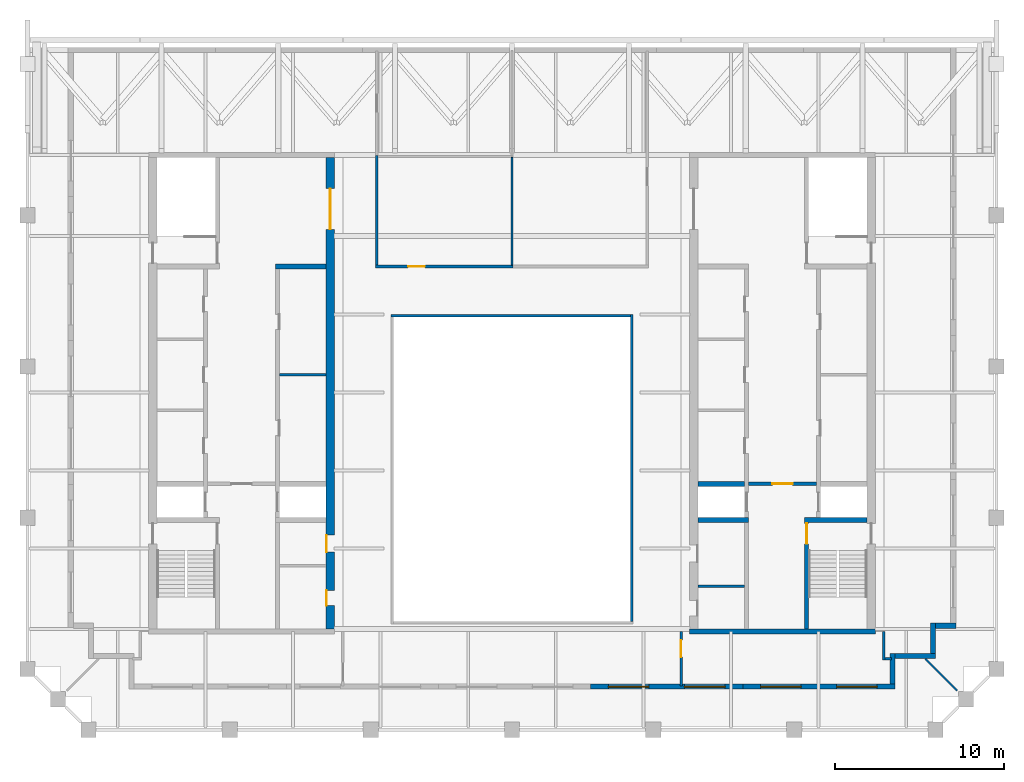
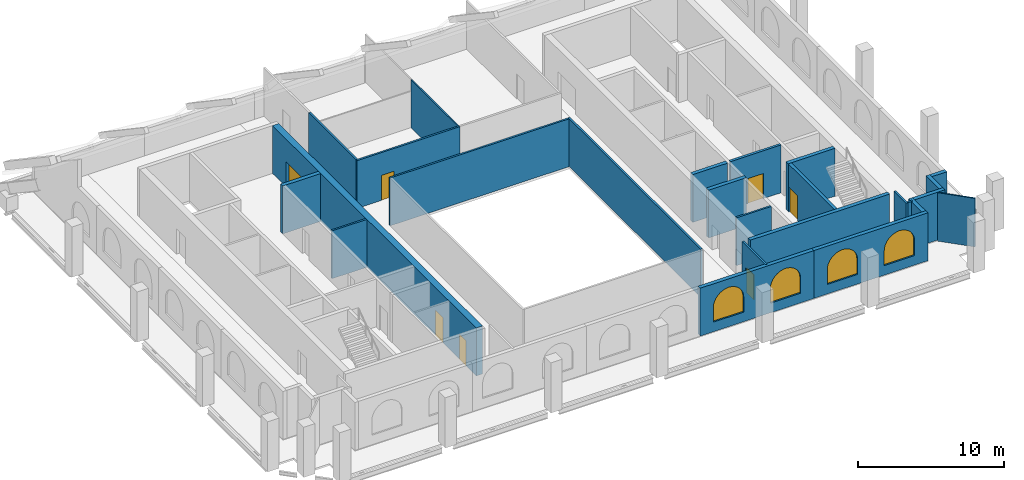
# One storey, part 4 of 7: 25 walls, 7 doors, 4 windows, 11 openings.
"""IFC4 building model written with IfcOpenShell, lengths in metres."""

from ifc_helpers import new_model, si_unit, direction, frame, frame_2d, origin, place, context, subcontext, project, spatial, polyline, rectangle, outline, extrude, material, layer, layer_set, type_object, element, fill, save


model = new_model("IFC4")

# Units and contexts
model_context = context("Model", 3, precision=1e-05, world=origin(), true_north=direction((0.0, 1.0)))
body_context = subcontext(model_context, "Body", "Model", "MODEL_VIEW")
ifc_project = project(units=[si_unit("LENGTHUNIT", "METRE"), si_unit("AREAUNIT", "SQUARE_METRE"), si_unit("VOLUMEUNIT", "CUBIC_METRE"), si_unit("PLANEANGLEUNIT", "RADIAN"), si_unit("MASSUNIT", "GRAM", prefix="KILO")], contexts=[model_context])

# Site, building, storey
site_placement = place(None, origin())
site = spatial("IfcSite", under=ifc_project, at=site_placement, CompositionType="ELEMENT")
building_placement = place(site_placement, origin())
building = spatial("IfcBuilding", under=site, at=building_placement, Name="Ogive Exchange Tower", CompositionType="ELEMENT")
storey_placement = place(building_placement, frame((0.0, 0.0, 385.800048828125)))
storey = spatial("IfcBuildingStorey", under=building, at=storey_placement, Name="C05", CompositionType="ELEMENT", Elevation=385.800048828125)

# Walls
ifc_material_1 = material(Name="Gypsum board partition")
ifc_layer_1 = layer(ifc_material_1, 0.14990234375)
ifc_layer_set_1 = layer_set([ifc_layer_1], Name="Core room partition 150 gypsum")
wall_type_1 = type_object("IfcWallType", Name="Core room partition 150 gypsum", PredefinedType="PARTITIONING", material=ifc_layer_set_1)
for number, where, z_axis, x_axis, name in (
    (1, (-13.75, 12.60009765625, 0.0), (0.0, 0.0, 1.0), (1.0, 0.0, 0.0), "W row B bay partition 1-1"),
    (2, (11.0, 0.10009765625, 0.0), (0.0, 0.0, 1.0), (1.0, 0.0, 0.0), "E south room partition"),
):
    element("IfcWall", number, at=place(storey_placement, frame(where, z_axis=z_axis, x_axis=x_axis)), inside=storey, type_object=wall_type_1, Name=name, PredefinedType="PARTITIONING", context=body_context, shape_type="SweptSolid", body=[
        extrude(rectangle(XDim=2.75, YDim=0.14990234375, at=frame_2d((1.375, 0.0))), origin(), (0.0, 0.0, 1.0), 4.0),
    ])
ifc_layer_2 = layer(ifc_material_1, 0.300048828125)
ifc_layer_set_2 = layer_set([ifc_layer_2], Name="Core room partition 300 gypsum")
wall_type_2 = type_object("IfcWallType", Name="Core room partition 300 gypsum", PredefinedType="PARTITIONING", material=ifc_layer_set_2)
wall_1_placement = place(storey_placement, frame((-14.0, 19.0, 0.0), z_axis=(0.0, 0.0, 1.0), x_axis=(1.0, 0.0, 0.0)))
element("IfcWall", 3, at=wall_1_placement, inside=storey, type_object=wall_type_2, Name="W row B room end wall 7", PredefinedType="PARTITIONING", context=body_context, shape_type="SweptSolid", body=[
    extrude(rectangle(XDim=3.0, YDim=0.300048828125, at=frame_2d((1.5, 0.0))), origin(), (0.0, 0.0, 1.0), 4.0),
])

# Wall, opening, door
ifc_material_2 = material(Name="Fire partition EI 60 150")
ifc_layer_3 = layer(ifc_material_2, 0.14990234375)
ifc_layer_set_3 = layer_set([ifc_layer_3], Name="Fire partition EI 60 150")
wall_type_3 = type_object("IfcWallType", Name="Fire partition EI 60 150", PredefinedType="PARTITIONING", material=ifc_layer_set_3)
wall_2_placement = place(storey_placement, frame((-8.074951171875, 19.0, 0.0), z_axis=(0.0, 0.0, 1.0), x_axis=(1.0, 0.0, 0.0)))
wall_2 = element("IfcWall", 4, at=wall_2_placement, inside=storey, type_object=wall_type_3, Name="C05-PWL-004", PredefinedType="PARTITIONING", context=body_context, shape_type="SweptSolid", body=[
    extrude(rectangle(XDim=8.125, YDim=0.14990234375, at=frame_2d((4.0625, 0.0))), origin(), (0.0, 0.0, 1.0), 4.0),
])
opening_1_placement = place(wall_2_placement, frame((1.925048828125, 0.0, 0.0)))
opening_1 = element("IfcOpeningElement", 5, at=opening_1_placement, cuts=wall_2, Name="Opening C05-I02", PredefinedType="OPENING", context=body_context, shape_type="SweptSolid", body=[
    extrude(rectangle(XDim=1.0, YDim=2.10009765625, at=frame_2d((0.5, 1.050048828125))), frame((0.0, 0.0849609375, 0.0), z_axis=(0.0, -1.0, 0.0), x_axis=(1.0, 0.0, 0.0)), (0.0, 0.0, 1.0), 0.169921875),
])
ifc_material_3 = material(Name="Fire door FD 30S 1000 x 2100")
door_type_1 = type_object("IfcDoorType", Name="Fire door FD 30S 1000 x 2100", OperationType="NOTDEFINED", PredefinedType="DOOR", material=ifc_material_3)
door_1_placement = place(opening_1_placement, origin())
door_1 = element("IfcDoor", 6, at=door_1_placement, inside=storey, type_object=door_type_1, Name="C05-IDR-002", ObjectType="DT3", OperationType="SINGLE_SWING_RIGHT", OverallHeight=2.10009765625, OverallWidth=1.0, PredefinedType="DOOR", context=body_context, shape_type="SweptSolid", body=[
    extrude(rectangle(XDim=1.0, YDim=2.10009765625, at=frame_2d((0.5, 1.050048828125))), frame((0.0, 0.02490234375, 0.0), z_axis=(0.0, -1.0, 0.0), x_axis=(1.0, 0.0, 0.0)), (0.0, 0.0, 1.0), 0.050048828125),
])
fill(opening_1, door_1)

# Wall
wall_3_placement = place(storey_placement, frame((-8.0, 25.550048828125, 0.0), z_axis=(0.0, 0.0, 1.0), x_axis=(0.0, -1.0, 0.0)))
element("IfcWall", 7, at=wall_3_placement, inside=storey, type_object=wall_type_3, Name="C05-PWL-005", PredefinedType="PARTITIONING", context=body_context, shape_type="SweptSolid", body=[
    extrude(rectangle(XDim=6.47509765625, YDim=0.14990234375, at=frame_2d((3.237548828125, 0.0))), origin(), (0.0, 0.0, 1.0), 4.0),
])

# Wall, opening, door
wall_4_placement = place(storey_placement, frame((10.0, -2.60009765625, 0.0), z_axis=(0.0, 0.0, 1.0), x_axis=(0.0, -1.0, 0.0)))
wall_4 = element("IfcWall", 8, at=wall_4_placement, inside=storey, type_object=wall_type_3, Name="C05-PWL-012", PredefinedType="PARTITIONING", context=body_context, shape_type="SweptSolid", body=[
    extrude(rectangle(XDim=3.199951171875, YDim=0.14990234375, at=frame_2d((1.60009765625, 0.0))), origin(), (0.0, 0.0, 1.0), 4.0),
])
opening_2_placement = place(wall_4_placement, frame((0.5, 0.0, 0.0)))
opening_2 = element("IfcOpeningElement", 9, at=opening_2_placement, cuts=wall_4, Name="Opening C05-I05", PredefinedType="OPENING", context=body_context, shape_type="SweptSolid", body=[
    extrude(rectangle(XDim=1.0, YDim=2.10009765625, at=frame_2d((0.5, 1.050048828125))), frame((0.0, 0.0849609375, 0.0), z_axis=(0.0, -1.0, 0.0), x_axis=(1.0, 0.0, 0.0)), (0.0, 0.0, 1.0), 0.169921875),
])
door_2_placement = place(opening_2_placement, origin())
door_2 = element("IfcDoor", 10, at=door_2_placement, inside=storey, type_object=door_type_1, Name="C05-IDR-005", ObjectType="DT3", OperationType="SINGLE_SWING_LEFT", OverallHeight=2.10009765625, OverallWidth=1.0, PredefinedType="DOOR", context=body_context, shape_type="SweptSolid", body=[
    extrude(rectangle(XDim=1.0, YDim=2.10009765625, at=frame_2d((0.5, 1.050048828125))), frame((0.0, 0.02490234375, 0.0), z_axis=(0.0, -1.0, 0.0), x_axis=(1.0, 0.0, 0.0)), (0.0, 0.0, 1.0), 0.050048828125),
])
fill(opening_2, door_2)

# Walls
wall_5_placement = place(storey_placement, frame((22.0, -4.27490234375, 0.0), z_axis=(0.0, 0.0, 1.0), x_axis=(0.0, 1.0, 0.0)))
element("IfcWall", 11, at=wall_5_placement, inside=storey, type_object=wall_type_3, Name="C05-PWL-013", PredefinedType="PARTITIONING", context=body_context, shape_type="SweptSolid", body=[
    extrude(rectangle(XDim=1.6748046875, YDim=0.14990234375, at=frame_2d((0.83740234375, 0.0))), origin(), (0.0, 0.0, 1.0), 4.0),
])
wall_6_placement = place(storey_placement, frame((22.449951171875, -4.199951171875, 0.0), z_axis=(0.0, 0.0, 1.0), x_axis=(-1.0, 0.0, 0.0)))
element("IfcWall", 12, at=wall_6_placement, inside=storey, type_object=wall_type_3, Name="C05-PWL-014", PredefinedType="PARTITIONING", context=body_context, shape_type="SweptSolid", body=[
    extrude(rectangle(XDim=0.375, YDim=0.14990234375, at=frame_2d((0.1875, 0.0))), origin(), (0.0, 0.0, 1.0), 4.0),
])
ifc_material_4 = material(Name="Fire-resisting glass in steel frame", Category="steel")
ifc_layer_4 = layer(ifc_material_4, 0.14990234375)
ifc_layer_set_4 = layer_set([ifc_layer_4], Name="Fire-rated glazed wall 150")
wall_type_4 = type_object("IfcWallType", Name="Fire-rated glazed wall 150", PredefinedType="STANDARD", material=ifc_layer_set_4)
wall_7_placement = place(storey_placement, frame((-7.14990234375, 16.074951171875, 0.0), z_axis=(0.0, 0.0, 1.0), x_axis=(1.0, 0.0, 0.0)))
element("IfcWall", 13, at=wall_7_placement, inside=storey, type_object=wall_type_4, Name="Nave enclosure wall 2", PredefinedType="STANDARD", context=body_context, shape_type="SweptSolid", body=[
    extrude(rectangle(XDim=14.14990234375, YDim=0.14990234375, at=frame_2d((7.074951171875, 0.0))), origin(), (0.0, 0.0, 1.0), 4.0),
])
wall_8_placement = place(storey_placement, frame((7.074951171875, 16.14990234375, 0.0), z_axis=(0.0, 0.0, 1.0), x_axis=(0.0, -1.0, 0.0)))
element("IfcWall", 14, at=wall_8_placement, inside=storey, type_object=wall_type_4, Name="Nave enclosure wall 3", PredefinedType="STANDARD", context=body_context, shape_type="SweptSolid", body=[
    extrude(rectangle(XDim=18.14990234375, YDim=0.14990234375, at=frame_2d((9.074951171875, 0.0))), origin(), (0.0, 0.0, 1.0), 4.0),
])
ifc_material_5 = material(Name="Laminated safety glass in steel frame", Category="steel")
ifc_layer_5 = layer(ifc_material_5, 0.10009765625)
ifc_layer_set_5 = layer_set([ifc_layer_5], Name="Loggia end screen 100")
wall_type_5 = type_object("IfcWallType", Name="Loggia end screen 100", PredefinedType="STANDARD", material=ifc_layer_set_5)
wall_9_placement = place(storey_placement, frame((24.449951171875, -4.199951171875, -0.050048828125), z_axis=(0.0, 0.0, 1.0), x_axis=(0.707106781187, -0.707106781187, 0.0)))
element("IfcWall", 15, at=wall_9_placement, inside=storey, type_object=wall_type_5, Name="Loggia end screen C1", PredefinedType="STANDARD", context=body_context, shape_type="SweptSolid", body=[
    extrude(rectangle(XDim=2.667236328125, YDim=0.10009765625, at=frame_2d((1.33349609375, 0.0))), origin(), (0.0, 0.0, 1.0), 4.050048828125),
])
ifc_material_6 = material(Name="Partition 100 gypsum")
ifc_layer_6 = layer(ifc_material_6, 0.10009765625)
ifc_layer_set_6 = layer_set([ifc_layer_6], Name="Partition 100 gypsum")
wall_type_6 = type_object("IfcWallType", Name="Partition 100 gypsum", PredefinedType="PARTITIONING", material=ifc_layer_set_6)
wall_10_placement = place(storey_placement, frame((0.0, 25.449951171875, 0.0), z_axis=(0.0, 0.0, 1.0), x_axis=(0.0, -1.0, 0.0)))
element("IfcWall", 16, at=wall_10_placement, inside=storey, type_object=wall_type_6, Name="C05-PWL-009", PredefinedType="PARTITIONING", context=body_context, shape_type="SweptSolid", body=[
    extrude(rectangle(XDim=6.375, YDim=0.10009765625, at=frame_2d((3.1875, 0.0))), origin(), (0.0, 0.0, 1.0), 4.0),
])

# Wall, opening, door
ifc_material_7 = material(Name="Concrete C70/85", Category="concrete")
ifc_layer_7 = layer(ifc_material_7, 0.199951171875)
ifc_layer_set_7 = layer_set([ifc_layer_7], Name="RC core wall 200 C70/85")
wall_type_7 = type_object("IfcWallType", Name="RC core wall 200 C70/85", PredefinedType="SHEAR", material=ifc_layer_set_7)
wall_11_placement = place(storey_placement, frame((14.0, 6.142822265625, 0.0), z_axis=(0.0, 0.0, 1.0), x_axis=(1.0, 0.0, 0.0)))
wall_11 = element("IfcWall", 17, at=wall_11_placement, inside=storey, type_object=wall_type_7, Name="E firefighting lobby wall", PredefinedType="SHEAR", context=body_context, shape_type="SweptSolid", body=[
    extrude(rectangle(XDim=4.0, YDim=0.199951171875, at=frame_2d((2.0, 0.0))), origin(), (0.0, 0.0, 1.0), 4.0),
])
opening_3_placement = place(wall_11_placement, frame((1.39990234375, 0.0, 0.0)))
opening_3 = element("IfcOpeningElement", 18, at=opening_3_placement, cuts=wall_11, Name="Opening C05-C23", PredefinedType="OPENING", context=body_context, shape_type="SweptSolid", body=[
    extrude(rectangle(XDim=1.199951171875, YDim=2.10009765625, at=frame_2d((0.60009765625, 1.050048828125))), frame((0.0, 0.10986328125, 0.0), z_axis=(0.0, -1.0, 0.0), x_axis=(1.0, 0.0, 0.0)), (0.0, 0.0, 1.0), 0.219970703125),
])
ifc_material_8 = material(Name="Steel fire door", Category="steel")
door_type_2 = type_object("IfcDoorType", Name="Firefighting lobby door FD60 1200 x 2100", OperationType="NOTDEFINED", PredefinedType="DOOR", material=ifc_material_8)
door_3_placement = place(opening_3_placement, frame((1.199951171875, 0.0, 0.0), z_axis=(0.0, 0.0, 1.0), x_axis=(-1.0, 0.0, 0.0)))
door_3 = element("IfcDoor", 19, at=door_3_placement, inside=storey, type_object=door_type_2, Name="Firefighting lobby door", ObjectType="CD3", OperationType="SINGLE_SWING_LEFT", OverallHeight=2.10009765625, OverallWidth=1.199951171875, PredefinedType="DOOR", context=body_context, shape_type="SweptSolid", body=[
    extrude(rectangle(XDim=1.199951171875, YDim=2.10009765625, at=frame_2d((0.60009765625, 1.050048828125))), frame((0.0, 0.02490234375, 0.0), z_axis=(0.0, -1.0, 0.0), x_axis=(1.0, 0.0, 0.0)), (0.0, 0.0, 1.0), 0.050048828125),
])
fill(opening_3, door_3)

ifc_layer_8 = layer(ifc_material_7, 0.25)
ifc_layer_set_8 = layer_set([ifc_layer_8], Name="RC core wall 250 C70/85")
wall_type_8 = type_object("IfcWallType", Name="RC core wall 250 C70/85", PredefinedType="SHEAR", material=ifc_layer_set_8)
wall_12_placement = place(storey_placement, frame((17.425048828125, -2.449951171875, 0.0), z_axis=(0.0, 0.0, 1.0), x_axis=(0.0, 1.0, 0.0)))
wall_12 = element("IfcWall", 20, at=wall_12_placement, inside=storey, type_object=wall_type_8, Name="E stair S front wall", PredefinedType="SHEAR", context=body_context, shape_type="SweptSolid", body=[
    extrude(rectangle(XDim=6.300048828125, YDim=0.25, at=frame_2d((3.14990234375, 0.0))), origin(), (0.0, 0.0, 1.0), 4.0),
])
opening_4_placement = place(wall_12_placement, frame((5.050048828125, 0.0, 0.0)))
opening_4 = element("IfcOpeningElement", 21, at=opening_4_placement, cuts=wall_12, Name="Opening C05-C25", PredefinedType="OPENING", context=body_context, shape_type="SweptSolid", body=[
    extrude(rectangle(XDim=1.199951171875, YDim=2.10009765625, at=frame_2d((0.60009765625, 1.050048828125))), frame((0.0, 0.135009765625, 0.0), z_axis=(0.0, -1.0, 0.0), x_axis=(1.0, 0.0, 0.0)), (0.0, 0.0, 1.0), 0.27001953125),
])
door_type_3 = type_object("IfcDoorType", Name="Stair door FD90 1200 x 2100", OperationType="NOTDEFINED", PredefinedType="DOOR", material=ifc_material_8)
door_4_placement = place(opening_4_placement, frame((1.199951171875, 0.0, 0.0), z_axis=(0.0, 0.0, 1.0), x_axis=(-1.0, 0.0, 0.0)))
door_4 = element("IfcDoor", 22, at=door_4_placement, inside=storey, type_object=door_type_3, Name="Stair door", ObjectType="CD5", OperationType="SINGLE_SWING_RIGHT", OverallHeight=2.10009765625, OverallWidth=1.199951171875, PredefinedType="DOOR", context=body_context, shape_type="SweptSolid", body=[
    extrude(rectangle(XDim=1.199951171875, YDim=2.10009765625, at=frame_2d((0.60009765625, 1.050048828125))), frame((0.0, 0.02490234375, 0.0), z_axis=(0.0, -1.0, 0.0), x_axis=(1.0, 0.0, 0.0)), (0.0, 0.0, 1.0), 0.050048828125),
])
fill(opening_4, door_4)

# Walls
ifc_layer_9 = layer(ifc_material_7, 0.300048828125)
ifc_layer_set_9 = layer_set([ifc_layer_9], Name="RC core wall 300 C70/85")
wall_type_9 = type_object("IfcWallType", Name="RC core wall 300 C70/85", PredefinedType="SHEAR", material=ifc_layer_set_9)
wall_13_placement = place(storey_placement, frame((10.5, -2.60009765625, 0.0), z_axis=(0.0, 0.0, 1.0), x_axis=(1.0, 0.0, 0.0)))
element("IfcWall", 23, at=wall_13_placement, inside=storey, type_object=wall_type_9, Name="E south end wall", PredefinedType="SHEAR", context=body_context, shape_type="SweptSolid", body=[
    extrude(rectangle(XDim=11.0, YDim=0.300048828125, at=frame_2d((5.5, 0.0))), origin(), (0.0, 0.0, 1.0), 4.0),
])
wall_14_placement = place(storey_placement, frame((17.300048828125, 4.0, 0.0), z_axis=(0.0, 0.0, 1.0), x_axis=(1.0, 0.0, 0.0)))
element("IfcWall", 24, at=wall_14_placement, inside=storey, type_object=wall_type_9, Name="E stair S north wall", PredefinedType="SHEAR", context=body_context, shape_type="SweptSolid", body=[
    extrude(rectangle(XDim=3.699951171875, YDim=0.300048828125, at=frame_2d((1.85009765625, 0.0))), origin(), (0.0, 0.0, 1.0), 4.0),
])
wall_15_placement = place(storey_placement, frame((11.0, 4.0, 0.0), z_axis=(0.0, 0.0, 1.0), x_axis=(1.0, 0.0, 0.0)))
element("IfcWall", 25, at=wall_15_placement, inside=storey, type_object=wall_type_9, Name="E row B divider 0", PredefinedType="SHEAR", context=body_context, shape_type="SweptSolid", body=[
    extrude(rectangle(XDim=3.0, YDim=0.300048828125, at=frame_2d((1.5, 0.0))), origin(), (0.0, 0.0, 1.0), 4.0),
])
wall_16_placement = place(storey_placement, frame((11.0, 6.142822265625, 0.0), z_axis=(0.0, 0.0, 1.0), x_axis=(1.0, 0.0, 0.0)))
element("IfcWall", 26, at=wall_16_placement, inside=storey, type_object=wall_type_9, Name="E row B divider 1", PredefinedType="SHEAR", context=body_context, shape_type="SweptSolid", body=[
    extrude(rectangle(XDim=2.75, YDim=0.300048828125, at=frame_2d((1.375, 0.0))), origin(), (0.0, 0.0, 1.0), 4.0),
])

# Wall, openings, doors
ifc_layer_10 = layer(ifc_material_7, 0.5)
ifc_layer_set_10 = layer_set([ifc_layer_10], Name="RC core wall 500 C70/85")
wall_type_10 = type_object("IfcWallType", Name="RC core wall 500 C70/85", PredefinedType="SHEAR", material=ifc_layer_set_10)
wall_17_placement = place(storey_placement, frame((-10.75, -2.449951171875, 0.0), z_axis=(0.0, 0.0, 1.0), x_axis=(0.0, 1.0, 0.0)))
wall_17 = element("IfcWall", 27, at=wall_17_placement, inside=storey, type_object=wall_type_10, Name="W inner wall", PredefinedType="SHEAR", context=body_context, shape_type="SweptSolid", body=[
    extrude(rectangle(XDim=27.89990234375, YDim=0.5, at=frame_2d((13.949951171875, 0.0))), origin(), (0.0, 0.0, 1.0), 4.0),
])
opening_5_placement = place(wall_17_placement, frame((23.64990234375, 0.0, 0.0)))
opening_5 = element("IfcOpeningElement", 28, at=opening_5_placement, cuts=wall_17, Name="Opening C05-C09", PredefinedType="OPENING", context=body_context, shape_type="SweptSolid", body=[
    extrude(rectangle(XDim=2.39990234375, YDim=2.10009765625, at=frame_2d((1.199951171875, 1.050048828125))), frame((0.0, 0.260009765625, 0.0), z_axis=(0.0, -1.0, 0.0), x_axis=(1.0, 0.0, 0.0)), (0.0, 0.0, 1.0), 0.52001953125),
])
opening_6_placement = place(wall_17_placement, frame((1.387451171875, 0.0, 0.0)))
opening_6 = element("IfcOpeningElement", 29, at=opening_6_placement, cuts=wall_17, Name="Opening C05-C14", PredefinedType="OPENING", context=body_context, shape_type="SweptSolid", body=[
    extrude(rectangle(XDim=0.89990234375, YDim=2.10009765625, at=frame_2d((0.449951171875, 1.050048828125))), frame((0.0, 0.260009765625, 0.0), z_axis=(0.0, -1.0, 0.0), x_axis=(1.0, 0.0, 0.0)), (0.0, 0.0, 1.0), 0.52001953125),
])
opening_7_placement = place(wall_17_placement, frame((4.5625, 0.0, 0.0)))
opening_7 = element("IfcOpeningElement", 30, at=opening_7_placement, cuts=wall_17, Name="Opening C05-C15", PredefinedType="OPENING", context=body_context, shape_type="SweptSolid", body=[
    extrude(rectangle(XDim=1.0, YDim=2.10009765625, at=frame_2d((0.5, 1.050048828125))), frame((0.0, 0.260009765625, 0.0), z_axis=(0.0, -1.0, 0.0), x_axis=(1.0, 0.0, 0.0)), (0.0, 0.0, 1.0), 0.52001953125),
])
ifc_material_9 = material(Name="Timber fire door", Category="wood")
door_type_4 = type_object("IfcDoorType", Name="Accessible WC door FD30S 1000 x 2100", OperationType="NOTDEFINED", PredefinedType="DOOR", material=ifc_material_9)
door_5_placement = place(opening_7_placement, frame((1.0, 0.4501953125, 0.0), z_axis=(0.0, 0.0, 1.0), x_axis=(-1.0, 0.0, 0.0)))
door_5 = element("IfcDoor", 31, at=door_5_placement, inside=storey, type_object=door_type_4, Name="Accessible WC door", ObjectType="CD7", OperationType="SINGLE_SWING_LEFT", OverallHeight=2.10009765625, OverallWidth=1.0, PredefinedType="DOOR", context=body_context, shape_type="SweptSolid", body=[
    extrude(rectangle(XDim=1.0, YDim=2.10009765625, at=frame_2d((0.5, 1.050048828125))), frame((0.0, 0.25, 0.0), z_axis=(0.0, -1.0, 0.0), x_axis=(1.0, 0.0, 0.0)), (0.0, 0.0, 1.0), 0.050048828125),
])
fill(opening_7, door_5)
door_type_5 = type_object("IfcDoorType", Name="Core room door FD30S 900 x 2100", OperationType="NOTDEFINED", PredefinedType="DOOR", material=ifc_material_9)
door_6_placement = place(opening_6_placement, frame((0.89990234375, 0.4501953125, 0.0), z_axis=(0.0, 0.0, 1.0), x_axis=(-1.0, 0.0, 0.0)))
door_6 = element("IfcDoor", 32, at=door_6_placement, inside=storey, type_object=door_type_5, Name="Core room door", ObjectType="CD6", OperationType="SINGLE_SWING_LEFT", OverallHeight=2.10009765625, OverallWidth=0.89990234375, PredefinedType="DOOR", context=body_context, shape_type="SweptSolid", body=[
    extrude(rectangle(XDim=0.89990234375, YDim=2.10009765625, at=frame_2d((0.449951171875, 1.050048828125))), frame((0.0, 0.25, 0.0), z_axis=(0.0, -1.0, 0.0), x_axis=(1.0, 0.0, 0.0)), (0.0, 0.0, 1.0), 0.050048828125),
])
fill(opening_6, door_6)
ifc_material_10 = material(Name="Glazed steel fire door", Category="steel")
door_type_6 = type_object("IfcDoorType", Name="Lift lobby double door FD60 2400 x 2100", OperationType="DOUBLE_DOOR_SINGLE_SWING", PredefinedType="DOOR", material=ifc_material_10)
door_7_placement = place(opening_5_placement, frame((2.39990234375, 0.0, 0.0), z_axis=(0.0, 0.0, 1.0), x_axis=(-1.0, 0.0, 0.0)))
door_7 = element("IfcDoor", 33, at=door_7_placement, inside=storey, type_object=door_type_6, Name="Lift lobby double door", ObjectType="CD4", OperationType="DOUBLE_DOOR_SINGLE_SWING", OverallHeight=2.10009765625, OverallWidth=2.39990234375, PredefinedType="DOOR", context=body_context, shape_type="SweptSolid", body=[
    extrude(rectangle(XDim=2.39990234375, YDim=2.10009765625, at=frame_2d((1.199951171875, 1.050048828125))), frame((0.0, 0.02490234375, 0.0), z_axis=(0.0, -1.0, 0.0), x_axis=(1.0, 0.0, 0.0)), (0.0, 0.0, 1.0), 0.050048828125),
])
fill(opening_5, door_7)

# Wall, openings, windows
ifc_material_11 = material(Name="Precast concrete C40/50", Category="concrete")
ifc_layer_11 = layer(ifc_material_11, 0.300048828125)
ifc_layer_set_11 = layer_set([ifc_layer_11], Name="Zinc-clad crown wall 300")
wall_type_11 = type_object("IfcWallType", Name="Zinc-clad crown wall 300", PredefinedType="STANDARD", material=ifc_layer_set_11)
wall_18_placement = place(storey_placement, frame((4.64990234375, -5.85009765625, 0.0), z_axis=(0.0, 0.0, 1.0), x_axis=(1.0, 0.0, 0.0)))
wall_18 = element("IfcWall", 34, at=wall_18_placement, inside=storey, type_object=wall_type_11, Name="Crown wall 7", PredefinedType="STANDARD", context=body_context, shape_type="SweptSolid", body=[
    extrude(rectangle(XDim=9.0, YDim=0.300048828125, at=frame_2d((4.5, 0.0))), origin(), (0.0, 0.0, 1.0), 4.0),
])
opening_8_placement = place(wall_18_placement, frame((1.050048828125, 0.0, 0.800048828125)))
opening_8 = element("IfcOpeningElement", 35, at=opening_8_placement, cuts=wall_18, Name="Opening WC25", PredefinedType="OPENING", context=body_context, shape_type="SweptSolid", body=[
    extrude(outline(polyline([(0.0, 0.0), (2.39990234375, 0.0), (2.39990234375, 1.25), (2.377197265625, 1.48779296875), (2.3095703125, 1.717041015625), (2.19970703125, 1.928955078125), (2.05126953125, 2.116455078125), (1.8701171875, 2.272216796875), (1.662841796875, 2.390625), (1.4365234375, 2.467529296875), (1.199951171875, 2.5), (0.96337890625, 2.467529296875), (0.737060546875, 2.390625), (0.52978515625, 2.272216796875), (0.3486328125, 2.116455078125), (0.2001953125, 1.928955078125), (0.09033203125, 1.717041015625), (0.022705078125, 1.48779296875), (0.0, 1.25), (0.0, 0.0)])), frame((0.0, 0.159912109375, 0.0), z_axis=(0.0, -1.0, 0.0), x_axis=(1.0, 0.0, 0.0)), (0.0, 0.0, 1.0), 0.320068359375),
])
opening_9_placement = place(wall_18_placement, frame((5.550048828125, 0.0, 0.800048828125)))
opening_9 = element("IfcOpeningElement", 36, at=opening_9_placement, cuts=wall_18, Name="Opening WC25", PredefinedType="OPENING", context=body_context, shape_type="SweptSolid", body=[
    extrude(outline(polyline([(0.0, 0.0), (2.39990234375, 0.0), (2.39990234375, 1.25), (2.377197265625, 1.48779296875), (2.3095703125, 1.717041015625), (2.19970703125, 1.928955078125), (2.05126953125, 2.116455078125), (1.8701171875, 2.272216796875), (1.662841796875, 2.390625), (1.4365234375, 2.467529296875), (1.199951171875, 2.5), (0.96337890625, 2.467529296875), (0.737060546875, 2.390625), (0.52978515625, 2.272216796875), (0.3486328125, 2.116455078125), (0.2001953125, 1.928955078125), (0.09033203125, 1.717041015625), (0.022705078125, 1.48779296875), (0.0, 1.25), (0.0, 0.0)])), frame((0.0, 0.159912109375, 0.0), z_axis=(0.0, -1.0, 0.0), x_axis=(1.0, 0.0, 0.0)), (0.0, 0.0, 1.0), 0.320068359375),
])
ifc_material_12 = material(Name="Clear glass in bronze frame", Category="glass")
window_type = type_object("IfcWindowType", Name="Crown lancet window 2400 x 2500", PartitioningType="DOUBLE_PANEL_VERTICAL", PredefinedType="WINDOW", material=ifc_material_12)
window_1_placement = place(opening_8_placement, origin())
window_1 = element("IfcWindow", 37, at=window_1_placement, inside=storey, type_object=window_type, Name="Crown lancet 7.1", OverallHeight=2.5, OverallWidth=2.39990234375, PartitioningType="DOUBLE_PANEL_VERTICAL", PredefinedType="WINDOW", context=body_context, shape_type="SweptSolid", body=[
    extrude(outline(polyline([(0.0, 0.0), (2.39990234375, 0.0), (2.39990234375, 1.25), (2.377197265625, 1.48779296875), (2.3095703125, 1.717041015625), (2.19970703125, 1.928955078125), (2.05126953125, 2.116455078125), (1.8701171875, 2.272216796875), (1.662841796875, 2.390625), (1.4365234375, 2.467529296875), (1.199951171875, 2.5), (0.96337890625, 2.467529296875), (0.737060546875, 2.390625), (0.52978515625, 2.272216796875), (0.3486328125, 2.116455078125), (0.2001953125, 1.928955078125), (0.09033203125, 1.717041015625), (0.022705078125, 1.48779296875), (0.0, 1.25), (0.0, 0.0)])), frame((0.0, 0.030029296875, 0.0), z_axis=(0.0, -1.0, 0.0), x_axis=(1.0, 0.0, 0.0)), (0.0, 0.0, 1.0), 0.06005859375),
])
fill(opening_8, window_1)
window_2_placement = place(opening_9_placement, origin())
window_2 = element("IfcWindow", 38, at=window_2_placement, inside=storey, type_object=window_type, Name="Crown lancet 7.2", OverallHeight=2.5, OverallWidth=2.39990234375, PartitioningType="DOUBLE_PANEL_VERTICAL", PredefinedType="WINDOW", context=body_context, shape_type="SweptSolid", body=[
    extrude(outline(polyline([(0.0, 0.0), (2.39990234375, 0.0), (2.39990234375, 1.25), (2.377197265625, 1.48779296875), (2.3095703125, 1.717041015625), (2.19970703125, 1.928955078125), (2.05126953125, 2.116455078125), (1.8701171875, 2.272216796875), (1.662841796875, 2.390625), (1.4365234375, 2.467529296875), (1.199951171875, 2.5), (0.96337890625, 2.467529296875), (0.737060546875, 2.390625), (0.52978515625, 2.272216796875), (0.3486328125, 2.116455078125), (0.2001953125, 1.928955078125), (0.09033203125, 1.717041015625), (0.022705078125, 1.48779296875), (0.0, 1.25), (0.0, 0.0)])), frame((0.0, 0.030029296875, 0.0), z_axis=(0.0, -1.0, 0.0), x_axis=(1.0, 0.0, 0.0)), (0.0, 0.0, 1.0), 0.06005859375),
])
fill(opening_9, window_2)

wall_19_placement = place(storey_placement, frame((13.64990234375, -5.85009765625, 0.0), z_axis=(0.0, 0.0, 1.0), x_axis=(1.0, 0.0, 0.0)))
wall_19 = element("IfcWall", 39, at=wall_19_placement, inside=storey, type_object=wall_type_11, Name="Crown wall 8", PredefinedType="STANDARD", context=body_context, shape_type="SweptSolid", body=[
    extrude(rectangle(XDim=9.0, YDim=0.300048828125, at=frame_2d((4.5, 0.0))), origin(), (0.0, 0.0, 1.0), 4.0),
])
opening_10_placement = place(wall_19_placement, frame((1.050048828125, 0.0, 0.800048828125)))
opening_10 = element("IfcOpeningElement", 40, at=opening_10_placement, cuts=wall_19, Name="Opening WC25", PredefinedType="OPENING", context=body_context, shape_type="SweptSolid", body=[
    extrude(outline(polyline([(0.0, 0.0), (2.39990234375, 0.0), (2.39990234375, 1.25), (2.377197265625, 1.48779296875), (2.3095703125, 1.717041015625), (2.19970703125, 1.928955078125), (2.05126953125, 2.116455078125), (1.8701171875, 2.272216796875), (1.662841796875, 2.390625), (1.4365234375, 2.467529296875), (1.199951171875, 2.5), (0.96337890625, 2.467529296875), (0.737060546875, 2.390625), (0.52978515625, 2.272216796875), (0.3486328125, 2.116455078125), (0.2001953125, 1.928955078125), (0.09033203125, 1.717041015625), (0.022705078125, 1.48779296875), (0.0, 1.25), (0.0, 0.0)])), frame((0.0, 0.159912109375, 0.0), z_axis=(0.0, -1.0, 0.0), x_axis=(1.0, 0.0, 0.0)), (0.0, 0.0, 1.0), 0.320068359375),
])
opening_11_placement = place(wall_19_placement, frame((5.550048828125, 0.0, 0.800048828125)))
opening_11 = element("IfcOpeningElement", 41, at=opening_11_placement, cuts=wall_19, Name="Opening WC25", PredefinedType="OPENING", context=body_context, shape_type="SweptSolid", body=[
    extrude(outline(polyline([(0.0, 0.0), (2.39990234375, 0.0), (2.39990234375, 1.25), (2.377197265625, 1.48779296875), (2.3095703125, 1.717041015625), (2.19970703125, 1.928955078125), (2.05126953125, 2.116455078125), (1.8701171875, 2.272216796875), (1.662841796875, 2.390625), (1.4365234375, 2.467529296875), (1.199951171875, 2.5), (0.96337890625, 2.467529296875), (0.737060546875, 2.390625), (0.52978515625, 2.272216796875), (0.3486328125, 2.116455078125), (0.2001953125, 1.928955078125), (0.09033203125, 1.717041015625), (0.022705078125, 1.48779296875), (0.0, 1.25), (0.0, 0.0)])), frame((0.0, 0.159912109375, 0.0), z_axis=(0.0, -1.0, 0.0), x_axis=(1.0, 0.0, 0.0)), (0.0, 0.0, 1.0), 0.320068359375),
])
window_3_placement = place(opening_10_placement, origin())
window_3 = element("IfcWindow", 42, at=window_3_placement, inside=storey, type_object=window_type, Name="Crown lancet 8.1", OverallHeight=2.5, OverallWidth=2.39990234375, PartitioningType="DOUBLE_PANEL_VERTICAL", PredefinedType="WINDOW", context=body_context, shape_type="SweptSolid", body=[
    extrude(outline(polyline([(0.0, 0.0), (2.39990234375, 0.0), (2.39990234375, 1.25), (2.377197265625, 1.48779296875), (2.3095703125, 1.717041015625), (2.19970703125, 1.928955078125), (2.05126953125, 2.116455078125), (1.8701171875, 2.272216796875), (1.662841796875, 2.390625), (1.4365234375, 2.467529296875), (1.199951171875, 2.5), (0.96337890625, 2.467529296875), (0.737060546875, 2.390625), (0.52978515625, 2.272216796875), (0.3486328125, 2.116455078125), (0.2001953125, 1.928955078125), (0.09033203125, 1.717041015625), (0.022705078125, 1.48779296875), (0.0, 1.25), (0.0, 0.0)])), frame((0.0, 0.030029296875, 0.0), z_axis=(0.0, -1.0, 0.0), x_axis=(1.0, 0.0, 0.0)), (0.0, 0.0, 1.0), 0.06005859375),
])
fill(opening_10, window_3)
window_4_placement = place(opening_11_placement, origin())
window_4 = element("IfcWindow", 43, at=window_4_placement, inside=storey, type_object=window_type, Name="Crown lancet 8.2", OverallHeight=2.5, OverallWidth=2.39990234375, PartitioningType="DOUBLE_PANEL_VERTICAL", PredefinedType="WINDOW", context=body_context, shape_type="SweptSolid", body=[
    extrude(outline(polyline([(0.0, 0.0), (2.39990234375, 0.0), (2.39990234375, 1.25), (2.377197265625, 1.48779296875), (2.3095703125, 1.717041015625), (2.19970703125, 1.928955078125), (2.05126953125, 2.116455078125), (1.8701171875, 2.272216796875), (1.662841796875, 2.390625), (1.4365234375, 2.467529296875), (1.199951171875, 2.5), (0.96337890625, 2.467529296875), (0.737060546875, 2.390625), (0.52978515625, 2.272216796875), (0.3486328125, 2.116455078125), (0.2001953125, 1.928955078125), (0.09033203125, 1.717041015625), (0.022705078125, 1.48779296875), (0.0, 1.25), (0.0, 0.0)])), frame((0.0, 0.030029296875, 0.0), z_axis=(0.0, -1.0, 0.0), x_axis=(1.0, 0.0, 0.0)), (0.0, 0.0, 1.0), 0.06005859375),
])
fill(opening_11, window_4)

# Walls
wall_20_placement = place(storey_placement, frame((22.5, -5.699951171875, 0.0), z_axis=(0.0, 0.0, 1.0), x_axis=(0.0, 1.0, 0.0)))
element("IfcWall", 44, at=wall_20_placement, inside=storey, type_object=wall_type_11, Name="Crown wall 9", PredefinedType="STANDARD", context=body_context, shape_type="SweptSolid", body=[
    extrude(rectangle(XDim=1.800048828125, YDim=0.300048828125, at=frame_2d((0.89990234375, 0.0))), origin(), (0.0, 0.0, 1.0), 4.0),
])
wall_21_placement = place(storey_placement, frame((22.64990234375, -4.050048828125, 0.0), z_axis=(0.0, 0.0, 1.0), x_axis=(1.0, 0.0, 0.0)))
element("IfcWall", 45, at=wall_21_placement, inside=storey, type_object=wall_type_11, Name="Crown wall 10", PredefinedType="STANDARD", context=body_context, shape_type="SweptSolid", body=[
    extrude(rectangle(XDim=2.400146484375, YDim=0.300048828125, at=frame_2d((1.2001953125, 0.0))), origin(), (0.0, 0.0, 1.0), 4.0),
])
wall_22_placement = place(storey_placement, frame((24.89990234375, -3.89990234375, 0.0), z_axis=(0.0, 0.0, 1.0), x_axis=(0.0, 1.0, 0.0)))
element("IfcWall", 46, at=wall_22_placement, inside=storey, type_object=wall_type_11, Name="Crown wall 11", PredefinedType="STANDARD", context=body_context, shape_type="SweptSolid", body=[
    extrude(rectangle(XDim=1.7998046875, YDim=0.300048828125, at=frame_2d((0.89990234375, 0.0))), origin(), (0.0, 0.0, 1.0), 4.0),
])
wall_23_placement = place(storey_placement, frame((25.050048828125, -2.25, 0.0), z_axis=(0.0, 0.0, 1.0), x_axis=(1.0, 0.0, 0.0)))
element("IfcWall", 47, at=wall_23_placement, inside=storey, type_object=wall_type_11, Name="Crown wall 12", PredefinedType="STANDARD", context=body_context, shape_type="SweptSolid", body=[
    extrude(rectangle(XDim=1.199951171875, YDim=0.300048828125, at=frame_2d((0.60009765625, 0.0))), origin(), (0.0, 0.0, 1.0), 4.0),
])

save(model, "model.ifc")
